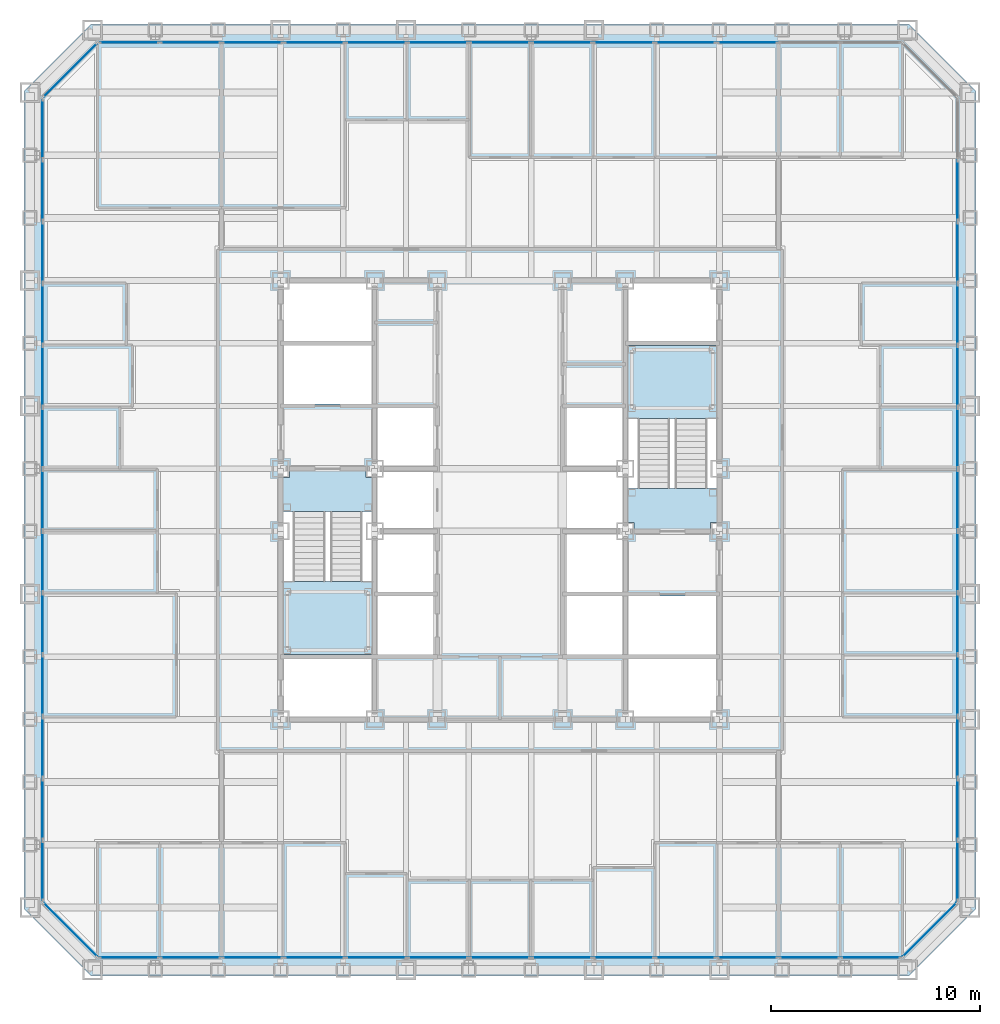
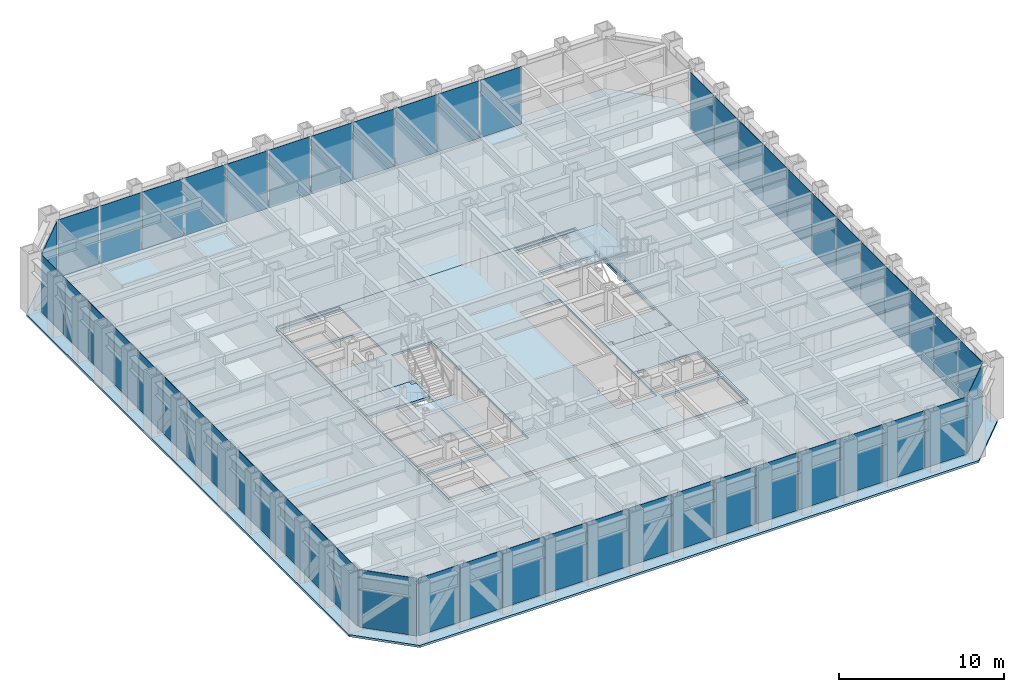
# One storey, part 7 of 16: 52 plates, 6 slabs, 9 elements without a shape of their own.
"""IFC4 building model written with IfcOpenShell, lengths in metres."""

from ifc_helpers import new_model, si_unit, direction, frame, origin, origin_2d, place, context, subcontext, project, spatial, polyline, rectangle, outline, extrude, material, layer, layer_set, type_object, element, aggregate, save


model = new_model("IFC4")

# Units and contexts
model_context = context("Model", 3, precision=1e-05, world=origin(), true_north=direction((0.0, 1.0)))
body_context = subcontext(model_context, "Body", "Model", "MODEL_VIEW")
ifc_project = project(units=[si_unit("LENGTHUNIT", "METRE"), si_unit("AREAUNIT", "SQUARE_METRE"), si_unit("VOLUMEUNIT", "CUBIC_METRE"), si_unit("PLANEANGLEUNIT", "RADIAN"), si_unit("MASSUNIT", "GRAM", prefix="KILO")], contexts=[model_context])

# Site, building, storey
site_placement = place(None, origin())
site = spatial("IfcSite", under=ifc_project, at=site_placement, CompositionType="ELEMENT")
building_placement = place(site_placement, origin())
building = spatial("IfcBuilding", under=site, at=building_placement, Name="Chuquiago Exchange Tower", CompositionType="ELEMENT")
storey_placement = place(building_placement, frame((0.0, 0.0, 78.300048828125)))
storey = spatial("IfcBuildingStorey", under=building, at=storey_placement, Name="L16", CompositionType="ELEMENT", Elevation=78.300048828125)

# Curtain wall, plates
ifc_material_1 = material(Name="Aluminium curtain wall system", Category="aluminium")
ifc_layer_1 = layer(ifc_material_1, 0.25)
ifc_layer_set_1 = layer_set([ifc_layer_1], Name="CW1 trading floor curtain wall")
curtain_wall_type_1 = type_object("IfcCurtainWallType", Name="CW1 trading floor curtain wall", PredefinedType="NOTDEFINED", material=ifc_layer_set_1)
curtain_wall_1_placement = place(storey_placement, origin())
curtain_wall_1 = element("IfcCurtainWall", 1, at=curtain_wall_1_placement, inside=storey, type_object=curtain_wall_type_1, Name="CW1 curtain wall L16", PredefinedType="NOTDEFINED")
ifc_material_2 = material(Name="Glass, insulating unit", Category="glass")
ifc_layer_2 = layer(ifc_material_2, 0.031982421875)
ifc_layer_set_2 = layer_set([ifc_layer_2], Name="CW1-P panel 32")
plate_type_1 = type_object("IfcPlateType", Name="CW1-P panel 32", PredefinedType="CURTAIN_PANEL", material=ifc_layer_set_2)
plate_1_placement = place(storey_placement, frame((10.65283203125, 0.60009765625, -0.22509765625), z_axis=(0.0, 0.0, 1.0), x_axis=(1.0, 0.0, 0.0)))
plate_1 = element("IfcPlate", 2, at=plate_1_placement, type_object=plate_type_1, Name="CW1 panel 3.1", PredefinedType="CURTAIN_PANEL", context=body_context, shape_type="SweptSolid", body=[
    extrude(rectangle(XDim=2.88671875, YDim=0.031982421875, at=origin_2d()), origin(), (0.0, 0.0, 1.0), 4.264892578125),
])
plate_2_placement = place(storey_placement, frame((13.61474609375, 0.60009765625, -0.22509765625), z_axis=(0.0, 0.0, 1.0), x_axis=(1.0, 0.0, 0.0)))
plate_2 = element("IfcPlate", 3, at=plate_2_placement, type_object=plate_type_1, Name="CW1 panel 4.1", PredefinedType="CURTAIN_PANEL", context=body_context, shape_type="SweptSolid", body=[
    extrude(rectangle(XDim=2.88671875, YDim=0.031982421875, at=origin_2d()), origin(), (0.0, 0.0, 1.0), 4.264892578125),
])
plate_3_placement = place(storey_placement, frame((16.576416015625, 0.60009765625, -0.22509765625), z_axis=(0.0, 0.0, 1.0), x_axis=(1.0, 0.0, 0.0)))
plate_3 = element("IfcPlate", 4, at=plate_3_placement, type_object=plate_type_1, Name="CW1 panel 5.1", PredefinedType="CURTAIN_PANEL", context=body_context, shape_type="SweptSolid", body=[
    extrude(rectangle(XDim=2.88671875, YDim=0.031982421875, at=origin_2d()), origin(), (0.0, 0.0, 1.0), 4.264892578125),
])
plate_4_placement = place(storey_placement, frame((25.461669921875, 0.60009765625, -0.22509765625), z_axis=(0.0, 0.0, 1.0), x_axis=(1.0, 0.0, 0.0)))
plate_4 = element("IfcPlate", 5, at=plate_4_placement, type_object=plate_type_1, Name="CW1 panel 8.1", PredefinedType="CURTAIN_PANEL", context=body_context, shape_type="SweptSolid", body=[
    extrude(rectangle(XDim=2.88671875, YDim=0.031982421875, at=origin_2d()), origin(), (0.0, 0.0, 1.0), 4.264892578125),
])
plate_5_placement = place(storey_placement, frame((28.423583984375, 0.60009765625, -0.22509765625), z_axis=(0.0, 0.0, 1.0), x_axis=(1.0, 0.0, 0.0)))
plate_5 = element("IfcPlate", 6, at=plate_5_placement, type_object=plate_type_1, Name="CW1 panel 9.1", PredefinedType="CURTAIN_PANEL", context=body_context, shape_type="SweptSolid", body=[
    extrude(rectangle(XDim=2.88671875, YDim=0.031982421875, at=origin_2d()), origin(), (0.0, 0.0, 1.0), 4.264892578125),
])
plate_6_placement = place(storey_placement, frame((31.38525390625, 0.60009765625, -0.22509765625), z_axis=(0.0, 0.0, 1.0), x_axis=(1.0, 0.0, 0.0)))
plate_6 = element("IfcPlate", 7, at=plate_6_placement, type_object=plate_type_1, Name="CW1 panel 10.1", PredefinedType="CURTAIN_PANEL", context=body_context, shape_type="SweptSolid", body=[
    extrude(rectangle(XDim=2.88671875, YDim=0.031982421875, at=origin_2d()), origin(), (0.0, 0.0, 1.0), 4.264892578125),
])
plate_7_placement = place(storey_placement, frame((34.34716796875, 0.60009765625, -0.22509765625), z_axis=(0.0, 0.0, 1.0), x_axis=(1.0, 0.0, 0.0)))
plate_7 = element("IfcPlate", 8, at=plate_7_placement, type_object=plate_type_1, Name="CW1 panel 11.1", PredefinedType="CURTAIN_PANEL", context=body_context, shape_type="SweptSolid", body=[
    extrude(rectangle(XDim=2.88671875, YDim=0.031982421875, at=origin_2d()), origin(), (0.0, 0.0, 1.0), 4.264892578125),
])

curtain_wall_2_placement = place(storey_placement, origin())
curtain_wall_2 = element("IfcCurtainWall", 9, at=curtain_wall_2_placement, inside=storey, type_object=curtain_wall_type_1, Name="CW1 curtain wall L16", PredefinedType="NOTDEFINED")
plate_8_placement = place(storey_placement, frame((44.39990234375, 10.65283203125, -0.22509765625), z_axis=(0.0, 0.0, 1.0), x_axis=(0.0, 1.0, 0.0)))
plate_8 = element("IfcPlate", 10, at=plate_8_placement, type_object=plate_type_1, Name="CW1 panel 3.1", PredefinedType="CURTAIN_PANEL", context=body_context, shape_type="SweptSolid", body=[
    extrude(rectangle(XDim=2.88671875, YDim=0.031982421875, at=origin_2d()), origin(), (0.0, 0.0, 1.0), 4.264892578125),
])
plate_9_placement = place(storey_placement, frame((44.39990234375, 13.61474609375, -0.22509765625), z_axis=(0.0, 0.0, 1.0), x_axis=(0.0, 1.0, 0.0)))
plate_9 = element("IfcPlate", 11, at=plate_9_placement, type_object=plate_type_1, Name="CW1 panel 4.1", PredefinedType="CURTAIN_PANEL", context=body_context, shape_type="SweptSolid", body=[
    extrude(rectangle(XDim=2.88671875, YDim=0.031982421875, at=origin_2d()), origin(), (0.0, 0.0, 1.0), 4.264892578125),
])
plate_10_placement = place(storey_placement, frame((44.39990234375, 16.576416015625, -0.22509765625), z_axis=(0.0, 0.0, 1.0), x_axis=(0.0, 1.0, 0.0)))
plate_10 = element("IfcPlate", 12, at=plate_10_placement, type_object=plate_type_1, Name="CW1 panel 5.1", PredefinedType="CURTAIN_PANEL", context=body_context, shape_type="SweptSolid", body=[
    extrude(rectangle(XDim=2.88671875, YDim=0.031982421875, at=origin_2d()), origin(), (0.0, 0.0, 1.0), 4.264892578125),
])
plate_11_placement = place(storey_placement, frame((44.39990234375, 25.461669921875, -0.22509765625), z_axis=(0.0, 0.0, 1.0), x_axis=(0.0, 1.0, 0.0)))
plate_11 = element("IfcPlate", 13, at=plate_11_placement, type_object=plate_type_1, Name="CW1 panel 8.1", PredefinedType="CURTAIN_PANEL", context=body_context, shape_type="SweptSolid", body=[
    extrude(rectangle(XDim=2.88671875, YDim=0.031982421875, at=origin_2d()), origin(), (0.0, 0.0, 1.0), 4.264892578125),
])
plate_12_placement = place(storey_placement, frame((44.39990234375, 28.423583984375, -0.22509765625), z_axis=(0.0, 0.0, 1.0), x_axis=(0.0, 1.0, 0.0)))
plate_12 = element("IfcPlate", 14, at=plate_12_placement, type_object=plate_type_1, Name="CW1 panel 9.1", PredefinedType="CURTAIN_PANEL", context=body_context, shape_type="SweptSolid", body=[
    extrude(rectangle(XDim=2.88671875, YDim=0.031982421875, at=origin_2d()), origin(), (0.0, 0.0, 1.0), 4.264892578125),
])
plate_13_placement = place(storey_placement, frame((44.39990234375, 31.38525390625, -0.22509765625), z_axis=(0.0, 0.0, 1.0), x_axis=(0.0, 1.0, 0.0)))
plate_13 = element("IfcPlate", 15, at=plate_13_placement, type_object=plate_type_1, Name="CW1 panel 10.1", PredefinedType="CURTAIN_PANEL", context=body_context, shape_type="SweptSolid", body=[
    extrude(rectangle(XDim=2.88671875, YDim=0.031982421875, at=origin_2d()), origin(), (0.0, 0.0, 1.0), 4.264892578125),
])
plate_14_placement = place(storey_placement, frame((44.39990234375, 34.34716796875, -0.22509765625), z_axis=(0.0, 0.0, 1.0), x_axis=(0.0, 1.0, 0.0)))
plate_14 = element("IfcPlate", 16, at=plate_14_placement, type_object=plate_type_1, Name="CW1 panel 11.1", PredefinedType="CURTAIN_PANEL", context=body_context, shape_type="SweptSolid", body=[
    extrude(rectangle(XDim=2.88671875, YDim=0.031982421875, at=origin_2d()), origin(), (0.0, 0.0, 1.0), 4.264892578125),
])

curtain_wall_3_placement = place(storey_placement, origin())
curtain_wall_3 = element("IfcCurtainWall", 17, at=curtain_wall_3_placement, inside=storey, type_object=curtain_wall_type_1, Name="CW1 curtain wall L16", PredefinedType="NOTDEFINED")
plate_15_placement = place(storey_placement, frame((34.34716796875, 44.39990234375, -0.22509765625), z_axis=(0.0, 0.0, 1.0), x_axis=(-1.0, 0.0, 0.0)))
plate_15 = element("IfcPlate", 18, at=plate_15_placement, type_object=plate_type_1, Name="CW1 panel 3.1", PredefinedType="CURTAIN_PANEL", context=body_context, shape_type="SweptSolid", body=[
    extrude(rectangle(XDim=2.88671875, YDim=0.031982421875, at=origin_2d()), origin(), (0.0, 0.0, 1.0), 4.264892578125),
])
plate_16_placement = place(storey_placement, frame((31.38525390625, 44.39990234375, -0.22509765625), z_axis=(0.0, 0.0, 1.0), x_axis=(-1.0, 0.0, 0.0)))
plate_16 = element("IfcPlate", 19, at=plate_16_placement, type_object=plate_type_1, Name="CW1 panel 4.1", PredefinedType="CURTAIN_PANEL", context=body_context, shape_type="SweptSolid", body=[
    extrude(rectangle(XDim=2.88671875, YDim=0.031982421875, at=origin_2d()), origin(), (0.0, 0.0, 1.0), 4.264892578125),
])
plate_17_placement = place(storey_placement, frame((28.423583984375, 44.39990234375, -0.22509765625), z_axis=(0.0, 0.0, 1.0), x_axis=(-1.0, 0.0, 0.0)))
plate_17 = element("IfcPlate", 20, at=plate_17_placement, type_object=plate_type_1, Name="CW1 panel 5.1", PredefinedType="CURTAIN_PANEL", context=body_context, shape_type="SweptSolid", body=[
    extrude(rectangle(XDim=2.88671875, YDim=0.031982421875, at=origin_2d()), origin(), (0.0, 0.0, 1.0), 4.264892578125),
])
plate_18_placement = place(storey_placement, frame((19.538330078125, 44.39990234375, -0.22509765625), z_axis=(0.0, 0.0, 1.0), x_axis=(-1.0, 0.0, 0.0)))
plate_18 = element("IfcPlate", 21, at=plate_18_placement, type_object=plate_type_1, Name="CW1 panel 8.1", PredefinedType="CURTAIN_PANEL", context=body_context, shape_type="SweptSolid", body=[
    extrude(rectangle(XDim=2.88671875, YDim=0.031982421875, at=origin_2d()), origin(), (0.0, 0.0, 1.0), 4.264892578125),
])
plate_19_placement = place(storey_placement, frame((16.576416015625, 44.39990234375, -0.22509765625), z_axis=(0.0, 0.0, 1.0), x_axis=(-1.0, 0.0, 0.0)))
plate_19 = element("IfcPlate", 22, at=plate_19_placement, type_object=plate_type_1, Name="CW1 panel 9.1", PredefinedType="CURTAIN_PANEL", context=body_context, shape_type="SweptSolid", body=[
    extrude(rectangle(XDim=2.88671875, YDim=0.031982421875, at=origin_2d()), origin(), (0.0, 0.0, 1.0), 4.264892578125),
])
plate_20_placement = place(storey_placement, frame((13.61474609375, 44.39990234375, -0.22509765625), z_axis=(0.0, 0.0, 1.0), x_axis=(-1.0, 0.0, 0.0)))
plate_20 = element("IfcPlate", 23, at=plate_20_placement, type_object=plate_type_1, Name="CW1 panel 10.1", PredefinedType="CURTAIN_PANEL", context=body_context, shape_type="SweptSolid", body=[
    extrude(rectangle(XDim=2.88671875, YDim=0.031982421875, at=origin_2d()), origin(), (0.0, 0.0, 1.0), 4.264892578125),
])
plate_21_placement = place(storey_placement, frame((10.65283203125, 44.39990234375, -0.22509765625), z_axis=(0.0, 0.0, 1.0), x_axis=(-1.0, 0.0, 0.0)))
plate_21 = element("IfcPlate", 24, at=plate_21_placement, type_object=plate_type_1, Name="CW1 panel 11.1", PredefinedType="CURTAIN_PANEL", context=body_context, shape_type="SweptSolid", body=[
    extrude(rectangle(XDim=2.88671875, YDim=0.031982421875, at=origin_2d()), origin(), (0.0, 0.0, 1.0), 4.264892578125),
])

curtain_wall_4_placement = place(storey_placement, origin())
curtain_wall_4 = element("IfcCurtainWall", 25, at=curtain_wall_4_placement, inside=storey, type_object=curtain_wall_type_1, Name="CW1 curtain wall L16", PredefinedType="NOTDEFINED")
plate_22_placement = place(storey_placement, frame((0.60009765625, 34.34716796875, -0.22509765625), z_axis=(0.0, 0.0, 1.0), x_axis=(0.0, -1.0, 0.0)))
plate_22 = element("IfcPlate", 26, at=plate_22_placement, type_object=plate_type_1, Name="CW1 panel 3.1", PredefinedType="CURTAIN_PANEL", context=body_context, shape_type="SweptSolid", body=[
    extrude(rectangle(XDim=2.88671875, YDim=0.031982421875, at=origin_2d()), origin(), (0.0, 0.0, 1.0), 4.264892578125),
])
plate_23_placement = place(storey_placement, frame((0.60009765625, 31.38525390625, -0.22509765625), z_axis=(0.0, 0.0, 1.0), x_axis=(0.0, -1.0, 0.0)))
plate_23 = element("IfcPlate", 27, at=plate_23_placement, type_object=plate_type_1, Name="CW1 panel 4.1", PredefinedType="CURTAIN_PANEL", context=body_context, shape_type="SweptSolid", body=[
    extrude(rectangle(XDim=2.88671875, YDim=0.031982421875, at=origin_2d()), origin(), (0.0, 0.0, 1.0), 4.264892578125),
])
plate_24_placement = place(storey_placement, frame((0.60009765625, 28.423583984375, -0.22509765625), z_axis=(0.0, 0.0, 1.0), x_axis=(0.0, -1.0, 0.0)))
plate_24 = element("IfcPlate", 28, at=plate_24_placement, type_object=plate_type_1, Name="CW1 panel 5.1", PredefinedType="CURTAIN_PANEL", context=body_context, shape_type="SweptSolid", body=[
    extrude(rectangle(XDim=2.88671875, YDim=0.031982421875, at=origin_2d()), origin(), (0.0, 0.0, 1.0), 4.264892578125),
])
plate_25_placement = place(storey_placement, frame((0.60009765625, 19.538330078125, -0.22509765625), z_axis=(0.0, 0.0, 1.0), x_axis=(0.0, -1.0, 0.0)))
plate_25 = element("IfcPlate", 29, at=plate_25_placement, type_object=plate_type_1, Name="CW1 panel 8.1", PredefinedType="CURTAIN_PANEL", context=body_context, shape_type="SweptSolid", body=[
    extrude(rectangle(XDim=2.88671875, YDim=0.031982421875, at=origin_2d()), origin(), (0.0, 0.0, 1.0), 4.264892578125),
])
plate_26_placement = place(storey_placement, frame((0.60009765625, 16.576416015625, -0.22509765625), z_axis=(0.0, 0.0, 1.0), x_axis=(0.0, -1.0, 0.0)))
plate_26 = element("IfcPlate", 30, at=plate_26_placement, type_object=plate_type_1, Name="CW1 panel 9.1", PredefinedType="CURTAIN_PANEL", context=body_context, shape_type="SweptSolid", body=[
    extrude(rectangle(XDim=2.88671875, YDim=0.031982421875, at=origin_2d()), origin(), (0.0, 0.0, 1.0), 4.264892578125),
])
plate_27_placement = place(storey_placement, frame((0.60009765625, 13.61474609375, -0.22509765625), z_axis=(0.0, 0.0, 1.0), x_axis=(0.0, -1.0, 0.0)))
plate_27 = element("IfcPlate", 31, at=plate_27_placement, type_object=plate_type_1, Name="CW1 panel 10.1", PredefinedType="CURTAIN_PANEL", context=body_context, shape_type="SweptSolid", body=[
    extrude(rectangle(XDim=2.88671875, YDim=0.031982421875, at=origin_2d()), origin(), (0.0, 0.0, 1.0), 4.264892578125),
])
plate_28_placement = place(storey_placement, frame((0.60009765625, 10.65283203125, -0.22509765625), z_axis=(0.0, 0.0, 1.0), x_axis=(0.0, -1.0, 0.0)))
plate_28 = element("IfcPlate", 32, at=plate_28_placement, type_object=plate_type_1, Name="CW1 panel 11.1", PredefinedType="CURTAIN_PANEL", context=body_context, shape_type="SweptSolid", body=[
    extrude(rectangle(XDim=2.88671875, YDim=0.031982421875, at=origin_2d()), origin(), (0.0, 0.0, 1.0), 4.264892578125),
])

# Plate
ifc_material_3 = material(Name="Insulated spandrel panel, pale anodised aluminium", Category="aluminium")
ifc_layer_3 = layer(ifc_material_3, 0.031982421875)
ifc_layer_set_3 = layer_set([ifc_layer_3], Name="CW1-P spandrel panel 32")
plate_type_2 = type_object("IfcPlateType", Name="CW1-P spandrel panel 32", PredefinedType="CURTAIN_PANEL", material=ifc_layer_set_3)
plate_29_placement = place(storey_placement, frame((4.748046875, 0.60009765625, -0.22509765625), z_axis=(0.0, 0.0, 1.0), x_axis=(1.0, 0.0, 0.0)))
plate_29 = element("IfcPlate", 33, at=plate_29_placement, type_object=plate_type_2, Name="CW1 panel 1.1", PredefinedType="CURTAIN_PANEL", context=body_context, shape_type="SweptSolid", body=[
    extrude(rectangle(XDim=2.849365234375, YDim=0.031982421875, at=origin_2d()), origin(), (0.0, 0.0, 1.0), 4.264892578125),
])

plate_30_placement = place(storey_placement, frame((7.691162109375, 0.60009765625, -0.22509765625), z_axis=(0.0, 0.0, 1.0), x_axis=(1.0, 0.0, 0.0)))
plate_30 = element("IfcPlate", 34, at=plate_30_placement, type_object=plate_type_2, Name="CW1 panel 2.1", PredefinedType="CURTAIN_PANEL", context=body_context, shape_type="SweptSolid", body=[
    extrude(rectangle(XDim=2.88671875, YDim=0.031982421875, at=origin_2d()), origin(), (0.0, 0.0, 1.0), 4.264892578125),
])

plate_31_placement = place(storey_placement, frame((19.538330078125, 0.60009765625, -0.22509765625), z_axis=(0.0, 0.0, 1.0), x_axis=(1.0, 0.0, 0.0)))
plate_31 = element("IfcPlate", 35, at=plate_31_placement, type_object=plate_type_2, Name="CW1 panel 6.1", PredefinedType="CURTAIN_PANEL", context=body_context, shape_type="SweptSolid", body=[
    extrude(rectangle(XDim=2.88671875, YDim=0.031982421875, at=origin_2d()), origin(), (0.0, 0.0, 1.0), 4.264892578125),
])

plate_32_placement = place(storey_placement, frame((22.5, 0.60009765625, -0.22509765625), z_axis=(0.0, 0.0, 1.0), x_axis=(1.0, 0.0, 0.0)))
plate_32 = element("IfcPlate", 36, at=plate_32_placement, type_object=plate_type_2, Name="CW1 panel 7.1", PredefinedType="CURTAIN_PANEL", context=body_context, shape_type="SweptSolid", body=[
    extrude(rectangle(XDim=2.88671875, YDim=0.031982421875, at=origin_2d()), origin(), (0.0, 0.0, 1.0), 4.264892578125),
])

plate_33_placement = place(storey_placement, frame((37.308837890625, 0.60009765625, -0.22509765625), z_axis=(0.0, 0.0, 1.0), x_axis=(1.0, 0.0, 0.0)))
plate_33 = element("IfcPlate", 37, at=plate_33_placement, type_object=plate_type_2, Name="CW1 panel 12.1", PredefinedType="CURTAIN_PANEL", context=body_context, shape_type="SweptSolid", body=[
    extrude(rectangle(XDim=2.88671875, YDim=0.031982421875, at=origin_2d()), origin(), (0.0, 0.0, 1.0), 4.264892578125),
])

plate_34_placement = place(storey_placement, frame((40.251953125, 0.60009765625, -0.22509765625), z_axis=(0.0, 0.0, 1.0), x_axis=(1.0, 0.0, 0.0)))
plate_34 = element("IfcPlate", 38, at=plate_34_placement, type_object=plate_type_2, Name="CW1 panel 13.1", PredefinedType="CURTAIN_PANEL", context=body_context, shape_type="SweptSolid", body=[
    extrude(rectangle(XDim=2.849365234375, YDim=0.031982421875, at=origin_2d()), origin(), (0.0, 0.0, 1.0), 4.264892578125),
])

aggregate(curtain_wall_1, [plate_29, plate_30, plate_1, plate_2, plate_3, plate_31, plate_32, plate_4, plate_5, plate_6, plate_7, plate_33, plate_34])

plate_35_placement = place(storey_placement, frame((44.39990234375, 4.748046875, -0.22509765625), z_axis=(0.0, 0.0, 1.0), x_axis=(0.0, 1.0, 0.0)))
plate_35 = element("IfcPlate", 39, at=plate_35_placement, type_object=plate_type_2, Name="CW1 panel 1.1", PredefinedType="CURTAIN_PANEL", context=body_context, shape_type="SweptSolid", body=[
    extrude(rectangle(XDim=2.849365234375, YDim=0.031982421875, at=origin_2d()), origin(), (0.0, 0.0, 1.0), 4.264892578125),
])

plate_36_placement = place(storey_placement, frame((44.39990234375, 7.691162109375, -0.22509765625), z_axis=(0.0, 0.0, 1.0), x_axis=(0.0, 1.0, 0.0)))
plate_36 = element("IfcPlate", 40, at=plate_36_placement, type_object=plate_type_2, Name="CW1 panel 2.1", PredefinedType="CURTAIN_PANEL", context=body_context, shape_type="SweptSolid", body=[
    extrude(rectangle(XDim=2.88671875, YDim=0.031982421875, at=origin_2d()), origin(), (0.0, 0.0, 1.0), 4.264892578125),
])

plate_37_placement = place(storey_placement, frame((44.39990234375, 19.538330078125, -0.22509765625), z_axis=(0.0, 0.0, 1.0), x_axis=(0.0, 1.0, 0.0)))
plate_37 = element("IfcPlate", 41, at=plate_37_placement, type_object=plate_type_2, Name="CW1 panel 6.1", PredefinedType="CURTAIN_PANEL", context=body_context, shape_type="SweptSolid", body=[
    extrude(rectangle(XDim=2.88671875, YDim=0.031982421875, at=origin_2d()), origin(), (0.0, 0.0, 1.0), 4.264892578125),
])

plate_38_placement = place(storey_placement, frame((44.39990234375, 22.5, -0.22509765625), z_axis=(0.0, 0.0, 1.0), x_axis=(0.0, 1.0, 0.0)))
plate_38 = element("IfcPlate", 42, at=plate_38_placement, type_object=plate_type_2, Name="CW1 panel 7.1", PredefinedType="CURTAIN_PANEL", context=body_context, shape_type="SweptSolid", body=[
    extrude(rectangle(XDim=2.88671875, YDim=0.031982421875, at=origin_2d()), origin(), (0.0, 0.0, 1.0), 4.264892578125),
])

plate_39_placement = place(storey_placement, frame((44.39990234375, 37.308837890625, -0.22509765625), z_axis=(0.0, 0.0, 1.0), x_axis=(0.0, 1.0, 0.0)))
plate_39 = element("IfcPlate", 43, at=plate_39_placement, type_object=plate_type_2, Name="CW1 panel 12.1", PredefinedType="CURTAIN_PANEL", context=body_context, shape_type="SweptSolid", body=[
    extrude(rectangle(XDim=2.88671875, YDim=0.031982421875, at=origin_2d()), origin(), (0.0, 0.0, 1.0), 4.264892578125),
])

aggregate(curtain_wall_2, [plate_35, plate_36, plate_8, plate_9, plate_10, plate_37, plate_38, plate_11, plate_12, plate_13, plate_14, plate_39])

plate_40_placement = place(storey_placement, frame((25.461669921875, 44.39990234375, -0.22509765625), z_axis=(0.0, 0.0, 1.0), x_axis=(-1.0, 0.0, 0.0)))
plate_40 = element("IfcPlate", 44, at=plate_40_placement, type_object=plate_type_2, Name="CW1 panel 6.1", PredefinedType="CURTAIN_PANEL", context=body_context, shape_type="SweptSolid", body=[
    extrude(rectangle(XDim=2.88671875, YDim=0.031982421875, at=origin_2d()), origin(), (0.0, 0.0, 1.0), 4.264892578125),
])

plate_41_placement = place(storey_placement, frame((22.5, 44.39990234375, -0.22509765625), z_axis=(0.0, 0.0, 1.0), x_axis=(-1.0, 0.0, 0.0)))
plate_41 = element("IfcPlate", 45, at=plate_41_placement, type_object=plate_type_2, Name="CW1 panel 7.1", PredefinedType="CURTAIN_PANEL", context=body_context, shape_type="SweptSolid", body=[
    extrude(rectangle(XDim=2.88671875, YDim=0.031982421875, at=origin_2d()), origin(), (0.0, 0.0, 1.0), 4.264892578125),
])

plate_42_placement = place(storey_placement, frame((7.691162109375, 44.39990234375, -0.22509765625), z_axis=(0.0, 0.0, 1.0), x_axis=(-1.0, 0.0, 0.0)))
plate_42 = element("IfcPlate", 46, at=plate_42_placement, type_object=plate_type_2, Name="CW1 panel 12.1", PredefinedType="CURTAIN_PANEL", context=body_context, shape_type="SweptSolid", body=[
    extrude(rectangle(XDim=2.88671875, YDim=0.031982421875, at=origin_2d()), origin(), (0.0, 0.0, 1.0), 4.264892578125),
])

plate_43_placement = place(storey_placement, frame((4.748046875, 44.39990234375, -0.22509765625), z_axis=(0.0, 0.0, 1.0), x_axis=(-1.0, 0.0, 0.0)))
plate_43 = element("IfcPlate", 47, at=plate_43_placement, type_object=plate_type_2, Name="CW1 panel 13.1", PredefinedType="CURTAIN_PANEL", context=body_context, shape_type="SweptSolid", body=[
    extrude(rectangle(XDim=2.849365234375, YDim=0.031982421875, at=origin_2d()), origin(), (0.0, 0.0, 1.0), 4.264892578125),
])

aggregate(curtain_wall_3, [plate_15, plate_16, plate_17, plate_40, plate_41, plate_18, plate_19, plate_20, plate_21, plate_42, plate_43])

plate_44_placement = place(storey_placement, frame((0.60009765625, 40.251953125, -0.22509765625), z_axis=(0.0, 0.0, 1.0), x_axis=(0.0, -1.0, 0.0)))
plate_44 = element("IfcPlate", 48, at=plate_44_placement, type_object=plate_type_2, Name="CW1 panel 1.1", PredefinedType="CURTAIN_PANEL", context=body_context, shape_type="SweptSolid", body=[
    extrude(rectangle(XDim=2.849365234375, YDim=0.031982421875, at=origin_2d()), origin(), (0.0, 0.0, 1.0), 4.264892578125),
])

plate_45_placement = place(storey_placement, frame((0.60009765625, 37.308837890625, -0.22509765625), z_axis=(0.0, 0.0, 1.0), x_axis=(0.0, -1.0, 0.0)))
plate_45 = element("IfcPlate", 49, at=plate_45_placement, type_object=plate_type_2, Name="CW1 panel 2.1", PredefinedType="CURTAIN_PANEL", context=body_context, shape_type="SweptSolid", body=[
    extrude(rectangle(XDim=2.88671875, YDim=0.031982421875, at=origin_2d()), origin(), (0.0, 0.0, 1.0), 4.264892578125),
])

plate_46_placement = place(storey_placement, frame((0.60009765625, 25.461669921875, -0.22509765625), z_axis=(0.0, 0.0, 1.0), x_axis=(0.0, -1.0, 0.0)))
plate_46 = element("IfcPlate", 50, at=plate_46_placement, type_object=plate_type_2, Name="CW1 panel 6.1", PredefinedType="CURTAIN_PANEL", context=body_context, shape_type="SweptSolid", body=[
    extrude(rectangle(XDim=2.88671875, YDim=0.031982421875, at=origin_2d()), origin(), (0.0, 0.0, 1.0), 4.264892578125),
])

plate_47_placement = place(storey_placement, frame((0.60009765625, 22.5, -0.22509765625), z_axis=(0.0, 0.0, 1.0), x_axis=(0.0, -1.0, 0.0)))
plate_47 = element("IfcPlate", 51, at=plate_47_placement, type_object=plate_type_2, Name="CW1 panel 7.1", PredefinedType="CURTAIN_PANEL", context=body_context, shape_type="SweptSolid", body=[
    extrude(rectangle(XDim=2.88671875, YDim=0.031982421875, at=origin_2d()), origin(), (0.0, 0.0, 1.0), 4.264892578125),
])

plate_48_placement = place(storey_placement, frame((0.60009765625, 7.691162109375, -0.22509765625), z_axis=(0.0, 0.0, 1.0), x_axis=(0.0, -1.0, 0.0)))
plate_48 = element("IfcPlate", 52, at=plate_48_placement, type_object=plate_type_2, Name="CW1 panel 12.1", PredefinedType="CURTAIN_PANEL", context=body_context, shape_type="SweptSolid", body=[
    extrude(rectangle(XDim=2.88671875, YDim=0.031982421875, at=origin_2d()), origin(), (0.0, 0.0, 1.0), 4.264892578125),
])

plate_49_placement = place(storey_placement, frame((0.60009765625, 4.748046875, -0.22509765625), z_axis=(0.0, 0.0, 1.0), x_axis=(0.0, -1.0, 0.0)))
plate_49 = element("IfcPlate", 53, at=plate_49_placement, type_object=plate_type_2, Name="CW1 panel 13.1", PredefinedType="CURTAIN_PANEL", context=body_context, shape_type="SweptSolid", body=[
    extrude(rectangle(XDim=2.849365234375, YDim=0.031982421875, at=origin_2d()), origin(), (0.0, 0.0, 1.0), 4.264892578125),
])

aggregate(curtain_wall_4, [plate_44, plate_45, plate_22, plate_23, plate_24, plate_46, plate_47, plate_25, plate_26, plate_27, plate_28, plate_48, plate_49])

# Curtain wall, plate
ifc_material_4 = material(Name="Aluminium curtain wall system", Category="aluminium")
ifc_layer_4 = layer(ifc_material_4, 0.199951171875)
ifc_layer_set_4 = layer_set([ifc_layer_4], Name="CW3 facet curtain wall")
curtain_wall_type_2 = type_object("IfcCurtainWallType", Name="CW3 facet curtain wall", PredefinedType="NOTDEFINED", material=ifc_layer_set_4)
curtain_wall_5_placement = place(storey_placement, origin())
curtain_wall_5 = element("IfcCurtainWall", 54, at=curtain_wall_5_placement, inside=storey, type_object=curtain_wall_type_2, Name="CW3 curtain wall L16", PredefinedType="NOTDEFINED")
ifc_material_5 = material(Name="Insulated spandrel panel, pale anodised aluminium", Category="aluminium")
ifc_layer_5 = layer(ifc_material_5, 0.030029296875)
ifc_layer_set_5 = layer_set([ifc_layer_5], Name="CW3-P spandrel panel 30")
plate_type_3 = type_object("IfcPlateType", Name="CW3-P spandrel panel 30", PredefinedType="CURTAIN_PANEL", material=ifc_layer_set_5)
plate_50_placement = place(storey_placement, frame((43.07568359375, 1.92431640625, -0.235107421875), z_axis=(0.0, 0.0, 1.0), x_axis=(0.707106781187, 0.707106781187, 0.0)))
plate_50 = element("IfcPlate", 55, at=plate_50_placement, type_object=plate_type_3, Name="CW3 panel 1.1", PredefinedType="CURTAIN_PANEL", context=body_context, shape_type="SweptSolid", body=[
    extrude(rectangle(XDim=3.615478515625, YDim=0.030029296875, at=origin_2d()), origin(), (0.0, 0.0, 1.0), 4.27490234375),
])
aggregate(curtain_wall_5, [plate_50])

curtain_wall_6_placement = place(storey_placement, origin())
curtain_wall_6 = element("IfcCurtainWall", 56, at=curtain_wall_6_placement, inside=storey, type_object=curtain_wall_type_2, Name="CW3 curtain wall L16", PredefinedType="NOTDEFINED")
plate_51_placement = place(storey_placement, frame((1.92431640625, 43.07568359375, -0.235107421875), z_axis=(0.0, 0.0, 1.0), x_axis=(-0.707106781187, -0.707106781187, 0.0)))
plate_51 = element("IfcPlate", 57, at=plate_51_placement, type_object=plate_type_3, Name="CW3 panel 1.1", PredefinedType="CURTAIN_PANEL", context=body_context, shape_type="SweptSolid", body=[
    extrude(rectangle(XDim=3.615478515625, YDim=0.030029296875, at=origin_2d()), origin(), (0.0, 0.0, 1.0), 4.27490234375),
])
aggregate(curtain_wall_6, [plate_51])

curtain_wall_7_placement = place(storey_placement, origin())
curtain_wall_7 = element("IfcCurtainWall", 58, at=curtain_wall_7_placement, inside=storey, type_object=curtain_wall_type_2, Name="CW3 curtain wall L16", PredefinedType="NOTDEFINED")
plate_52_placement = place(storey_placement, frame((1.92431640625, 1.92431640625, -0.235107421875), z_axis=(0.0, 0.0, 1.0), x_axis=(0.707106781187, -0.707106781187, 0.0)))
plate_52 = element("IfcPlate", 59, at=plate_52_placement, type_object=plate_type_3, Name="CW3 panel 1.1", PredefinedType="CURTAIN_PANEL", context=body_context, shape_type="SweptSolid", body=[
    extrude(rectangle(XDim=3.615478515625, YDim=0.030029296875, at=origin_2d()), origin(), (0.0, 0.0, 1.0), 4.27490234375),
])
aggregate(curtain_wall_7, [plate_52])

# Slabs
ifc_material_6 = material(Name="Concrete C30/37", Category="concrete")
ifc_layer_6 = layer(ifc_material_6, 0.159912109375)
ifc_layer_set_6 = layer_set([ifc_layer_6], Name="FS1 composite floor 160")
slab_type_1 = type_object("IfcSlabType", Name="FS1 composite floor 160", PredefinedType="FLOOR", material=ifc_layer_set_6)
slab_1_placement = place(storey_placement, frame((0.0, 0.0, -0.4599609375)))
element("IfcSlab", 60, at=slab_1_placement, inside=storey, type_object=slab_type_1, Name="L16 floor slab, lowered under the raised floor", PredefinedType="FLOOR", context=body_context, shape_type="SweptSolid", body=[
    extrude(outline(polyline([(-0.25, 2.896484375), (-0.25, 42.103515625), (2.896484375, 45.25), (42.103515625, 45.25), (45.25, 42.103515625), (45.25, 2.896484375), (42.103515625, -0.25), (2.896484375, -0.25), (-0.25, 2.896484375)]), holes=[polyline([(33.0, 33.0), (12.0, 33.0), (12.0, 12.0), (33.0, 12.0), (33.0, 33.0)])]), origin(), (0.0, 0.0, 1.0), 0.159912109375),
])
slab_2_placement = place(storey_placement, frame((0.0, 0.0, -0.16015625)))
element("IfcSlab", 61, at=slab_2_placement, inside=storey, type_object=slab_type_1, Name="L16 core floor slab", PredefinedType="FLOOR", context=body_context, shape_type="SweptSolid", body=[
    extrude(outline(polyline([(33.0, 12.0), (33.0, 33.0), (12.0, 33.0), (12.0, 12.0), (33.0, 12.0)]), holes=[polyline([(16.39990234375, 15.10009765625), (12.10009765625, 15.10009765625), (12.10009765625, 23.89990234375), (16.39990234375, 23.89990234375), (16.39990234375, 15.10009765625)]), polyline([(32.89990234375, 21.10009765625), (28.60009765625, 21.10009765625), (28.60009765625, 29.89990234375), (32.89990234375, 29.89990234375), (32.89990234375, 21.10009765625)]), polyline([(16.39990234375, 12.10009765625), (12.10009765625, 12.10009765625), (12.10009765625, 14.89990234375), (16.39990234375, 14.89990234375), (16.39990234375, 12.10009765625)]), polyline([(16.39990234375, 30.10009765625), (12.10009765625, 30.10009765625), (12.10009765625, 32.89990234375), (16.39990234375, 32.89990234375), (16.39990234375, 30.10009765625)]), polyline([(32.89990234375, 12.10009765625), (28.60009765625, 12.10009765625), (28.60009765625, 14.89990234375), (32.89990234375, 14.89990234375), (32.89990234375, 12.10009765625)]), polyline([(32.89990234375, 30.10009765625), (28.60009765625, 30.10009765625), (28.60009765625, 32.89990234375), (32.89990234375, 32.89990234375), (32.89990234375, 30.10009765625)]), polyline([(16.39990234375, 27.10009765625), (12.10009765625, 27.10009765625), (12.10009765625, 29.89990234375), (16.39990234375, 29.89990234375), (16.39990234375, 27.10009765625)]), polyline([(32.89990234375, 15.10009765625), (28.60009765625, 15.10009765625), (28.60009765625, 17.89990234375), (32.89990234375, 17.89990234375), (32.89990234375, 15.10009765625)]), polyline([(19.39990234375, 15.10009765625), (16.60009765625, 15.10009765625), (16.60009765625, 26.89990234375), (19.39990234375, 26.89990234375), (19.39990234375, 15.10009765625)]), polyline([(28.39990234375, 15.10009765625), (25.60009765625, 15.10009765625), (25.60009765625, 26.89990234375), (28.39990234375, 26.89990234375), (28.39990234375, 15.10009765625)])]), origin(), (0.0, 0.0, 1.0), 0.16015625),
])

# Stair, slabs
ifc_material_7 = material(Name="Concrete C30/37, precast", Category="concrete")
stair_type_1 = type_object("IfcStairType", Name="ST1 half-turn stair 4500", PredefinedType="HALF_TURN_STAIR", material=ifc_material_7)
stair_1_placement = place(storey_placement, origin())
stair_1 = element("IfcStair", 62, at=stair_1_placement, inside=storey, type_object=stair_type_1, Name="Stair ST1 L16", PredefinedType="HALF_TURN_STAIR")
ifc_material_8 = material(Name="Concrete C30/37, precast", Category="concrete")
ifc_layer_7 = layer(ifc_material_8, 0.199951171875)
ifc_layer_set_7 = layer_set([ifc_layer_7], Name="ST-L landing 200")
slab_type_2 = type_object("IfcSlabType", Name="ST-L landing 200", PredefinedType="LANDING", material=ifc_layer_set_7)
slab_3_placement = place(storey_placement, frame((0.0, 0.0, -0.199951171875)))
slab_3 = element("IfcSlab", 63, at=slab_3_placement, type_object=slab_type_2, Name="ST1 landing 1", PredefinedType="LANDING", context=body_context, shape_type="SweptSolid", body=[
    extrude(outline(polyline([(12.425048828125, 23.89990234375), (16.074951171875, 23.89990234375), (16.074951171875, 23.574951171875), (16.39990234375, 23.574951171875), (16.39990234375, 21.949951171875), (12.10009765625, 21.949951171875), (12.10009765625, 23.574951171875), (12.425048828125, 23.574951171875), (12.425048828125, 23.89990234375)])), origin(), (0.0, 0.0, 1.0), 0.199951171875),
])
slab_4_placement = place(storey_placement, frame((0.0, 0.0, 2.050048828125)))
slab_4 = element("IfcSlab", 64, at=slab_4_placement, type_object=slab_type_2, Name="ST1 landing 2", PredefinedType="LANDING", context=body_context, shape_type="SweptSolid", body=[
    extrude(outline(polyline([(12.10009765625, 18.590087890625), (16.39990234375, 18.590087890625), (16.39990234375, 15.10009765625), (12.10009765625, 15.10009765625), (12.10009765625, 18.590087890625)])), origin(), (0.0, 0.0, 1.0), 0.199951171875),
])
aggregate(stair_1, [slab_3, slab_4])

ifc_material_9 = material(Name="Concrete C30/37, precast", Category="concrete")
stair_type_2 = type_object("IfcStairType", Name="ST2 half-turn stair 4500", PredefinedType="HALF_TURN_STAIR", material=ifc_material_9)
stair_2_placement = place(storey_placement, origin())
stair_2 = element("IfcStair", 65, at=stair_2_placement, inside=storey, type_object=stair_type_2, Name="Stair ST2 L16", PredefinedType="HALF_TURN_STAIR")
slab_5_placement = place(storey_placement, frame((0.0, 0.0, -0.199951171875)))
slab_5 = element("IfcSlab", 66, at=slab_5_placement, type_object=slab_type_2, Name="ST2 landing 1", PredefinedType="LANDING", context=body_context, shape_type="SweptSolid", body=[
    extrude(outline(polyline([(32.574951171875, 21.425048828125), (32.574951171875, 21.10009765625), (28.925048828125, 21.10009765625), (28.925048828125, 21.425048828125), (28.60009765625, 21.425048828125), (28.60009765625, 23.050048828125), (32.89990234375, 23.050048828125), (32.89990234375, 21.425048828125), (32.574951171875, 21.425048828125)])), origin(), (0.0, 0.0, 1.0), 0.199951171875),
])
slab_6_placement = place(storey_placement, frame((0.0, 0.0, 2.050048828125)))
slab_6 = element("IfcSlab", 67, at=slab_6_placement, type_object=slab_type_2, Name="ST2 landing 2", PredefinedType="LANDING", context=body_context, shape_type="SweptSolid", body=[
    extrude(outline(polyline([(28.60009765625, 29.89990234375), (32.89990234375, 29.89990234375), (32.89990234375, 26.409912109375), (28.60009765625, 26.409912109375), (28.60009765625, 29.89990234375)])), origin(), (0.0, 0.0, 1.0), 0.199951171875),
])
aggregate(stair_2, [slab_5, slab_6])

save(model, "model.ifc")
